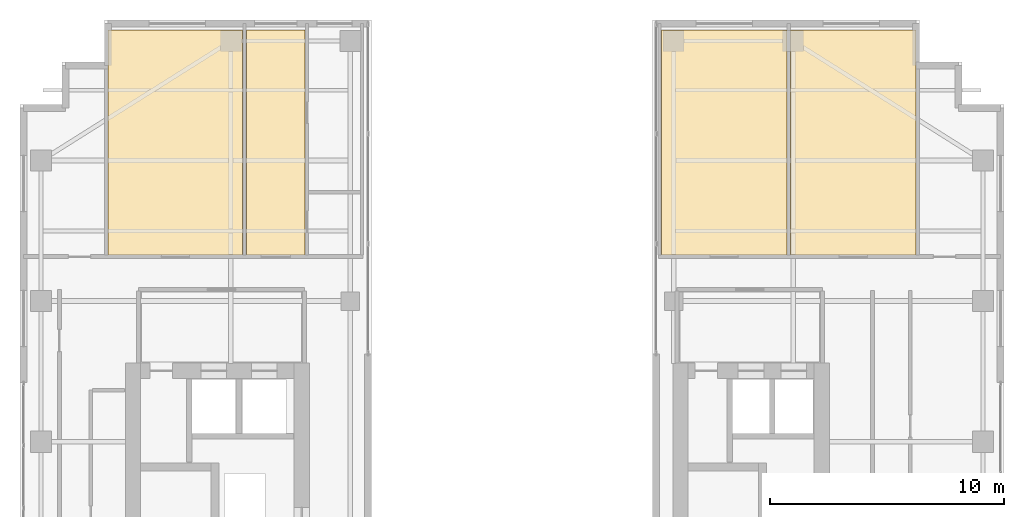
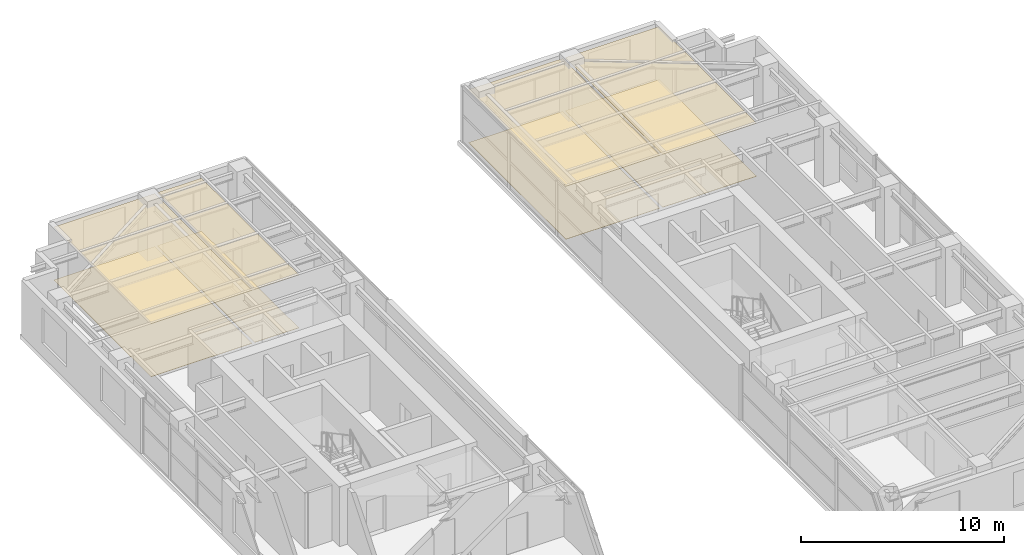
# One storey, part 22 of 22: 8 coverings.
"""IFC4 building model written with IfcOpenShell, lengths in metres."""

from ifc_helpers import new_model, si_unit, direction, frame, origin, place, context, subcontext, project, spatial, polyline, outline, extrude, material, layer, layer_set, type_object, element, save


model = new_model("IFC4")

# Units and contexts
model_context = context("Model", 3, precision=1e-05, world=origin(), true_north=direction((0.0, 1.0)))
body_context = subcontext(model_context, "Body", "Model", "MODEL_VIEW")
ifc_project = project(units=[si_unit("LENGTHUNIT", "METRE"), si_unit("AREAUNIT", "SQUARE_METRE"), si_unit("VOLUMEUNIT", "CUBIC_METRE"), si_unit("PLANEANGLEUNIT", "RADIAN"), si_unit("MASSUNIT", "GRAM", prefix="KILO")], contexts=[model_context])

# Site, building, storey
site_placement = place(None, origin())
site = spatial("IfcSite", under=ifc_project, at=site_placement, CompositionType="ELEMENT")
building_placement = place(site_placement, origin())
building = spatial("IfcBuilding", under=site, at=building_placement, Name="Khoralis Quay Care Tower", CompositionType="ELEMENT")
storey_placement = place(building_placement, frame((0.0, 0.0, 184.5)))
storey = spatial("IfcBuildingStorey", under=building, at=storey_placement, Name="L48", CompositionType="ELEMENT", Elevation=184.5)

# Coverings
ifc_material_1 = material(Name="Mineral-fibre acoustic ceiling tile")
ifc_layer_1 = layer(ifc_material_1, 0.01806640625)
ifc_layer_set_1 = layer_set([ifc_layer_1], Name="Mineral-fibre acoustic ceiling tile")
covering_type_1 = type_object("IfcCoveringType", Name="COV-CEIL-AC18", PredefinedType="CEILING", material=ifc_layer_set_1)
covering_1_placement = place(storey_placement, frame((0.0, 0.0, 3.19189453125)))
element("IfcCovering", 1, at=covering_1_placement, inside=storey, type_object=covering_type_1, Name="Suspended Acoustic Ceiling SP-L48-WN-COM0", PredefinedType="CEILING", context=body_context, shape_type="SweptSolid", body=[
    extrude(outline(polyline([(6.760009765625, 31.97998046875), (12.5, 31.97998046875), (12.5, 41.580078125), (6.760009765625, 41.580078125), (6.760009765625, 31.97998046875)])), origin(), (0.0, 0.0, 1.0), 0.01806640625),
])
covering_2_placement = place(storey_placement, frame((0.0, 0.0, 3.19189453125)))
element("IfcCovering", 2, at=covering_2_placement, inside=storey, type_object=covering_type_1, Name="Suspended Acoustic Ceiling SP-L48-WN-CARE1", PredefinedType="CEILING", context=body_context, shape_type="SweptSolid", body=[
    extrude(outline(polyline([(12.659912109375, 31.97998046875), (15.169921875, 31.97998046875), (15.169921875, 41.580078125), (12.659912109375, 41.580078125), (12.659912109375, 31.97998046875)])), origin(), (0.0, 0.0, 1.0), 0.01806640625),
])
covering_3_placement = place(storey_placement, frame((0.0, 0.0, 3.19189453125)))
element("IfcCovering", 3, at=covering_3_placement, inside=storey, type_object=covering_type_1, Name="Suspended Acoustic Ceiling SP-L48-EN-COM0", PredefinedType="CEILING", context=body_context, shape_type="SweptSolid", body=[
    extrude(outline(polyline([(30.3798828125, 31.97998046875), (35.72998046875, 31.97998046875), (35.72998046875, 41.580078125), (30.3798828125, 41.580078125), (30.3798828125, 31.97998046875)])), origin(), (0.0, 0.0, 1.0), 0.01806640625),
])
covering_4_placement = place(storey_placement, frame((0.0, 0.0, 3.19189453125)))
element("IfcCovering", 4, at=covering_4_placement, inside=storey, type_object=covering_type_1, Name="Suspended Acoustic Ceiling SP-L48-EN-COM1", PredefinedType="CEILING", context=body_context, shape_type="SweptSolid", body=[
    extrude(outline(polyline([(35.889892578125, 31.97998046875), (41.239990234375, 31.97998046875), (41.239990234375, 41.580078125), (35.889892578125, 41.580078125), (35.889892578125, 31.97998046875)])), origin(), (0.0, 0.0, 1.0), 0.01806640625),
])
ifc_material_2 = material(Name="Porcelain and non-slip vinyl flooring")
ifc_layer_2 = layer(ifc_material_2, 0.02001953125)
ifc_layer_set_2 = layer_set([ifc_layer_2], Name="Porcelain and non-slip vinyl flooring")
covering_type_2 = type_object("IfcCoveringType", Name="COV-FLOOR-20", PredefinedType="FLOORING", material=ifc_layer_set_2)
covering_5_placement = place(storey_placement, origin())
element("IfcCovering", 5, at=covering_5_placement, inside=storey, type_object=covering_type_2, Name="Resilient Healthcare Flooring SP-L48-WN-COM0", PredefinedType="FLOORING", context=body_context, shape_type="SweptSolid", body=[
    extrude(outline(polyline([(6.760009765625, 31.97998046875), (12.5, 31.97998046875), (12.5, 41.580078125), (6.760009765625, 41.580078125), (6.760009765625, 31.97998046875)])), origin(), (0.0, 0.0, 1.0), 0.02001953125),
])
covering_6_placement = place(storey_placement, origin())
element("IfcCovering", 6, at=covering_6_placement, inside=storey, type_object=covering_type_2, Name="Resilient Healthcare Flooring SP-L48-WN-CARE1", PredefinedType="FLOORING", context=body_context, shape_type="SweptSolid", body=[
    extrude(outline(polyline([(12.659912109375, 31.97998046875), (15.169921875, 31.97998046875), (15.169921875, 41.580078125), (12.659912109375, 41.580078125), (12.659912109375, 31.97998046875)])), origin(), (0.0, 0.0, 1.0), 0.02001953125),
])
covering_7_placement = place(storey_placement, origin())
element("IfcCovering", 7, at=covering_7_placement, inside=storey, type_object=covering_type_2, Name="Resilient Healthcare Flooring SP-L48-EN-COM0", PredefinedType="FLOORING", context=body_context, shape_type="SweptSolid", body=[
    extrude(outline(polyline([(30.3798828125, 31.97998046875), (35.72998046875, 31.97998046875), (35.72998046875, 41.580078125), (30.3798828125, 41.580078125), (30.3798828125, 31.97998046875)])), origin(), (0.0, 0.0, 1.0), 0.02001953125),
])
covering_8_placement = place(storey_placement, origin())
element("IfcCovering", 8, at=covering_8_placement, inside=storey, type_object=covering_type_2, Name="Resilient Healthcare Flooring SP-L48-EN-COM1", PredefinedType="FLOORING", context=body_context, shape_type="SweptSolid", body=[
    extrude(outline(polyline([(35.889892578125, 31.97998046875), (41.239990234375, 31.97998046875), (41.239990234375, 41.580078125), (35.889892578125, 41.580078125), (35.889892578125, 31.97998046875)])), origin(), (0.0, 0.0, 1.0), 0.02001953125),
])

save(model, "model.ifc")
